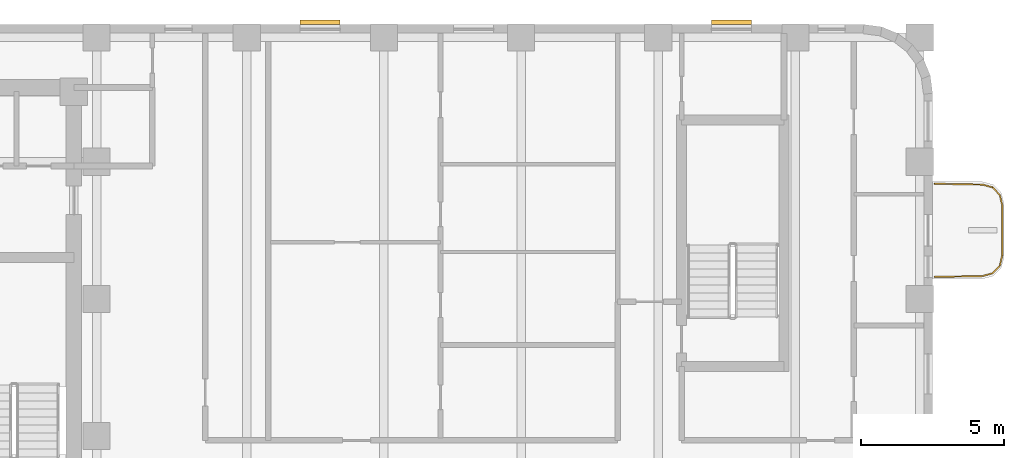
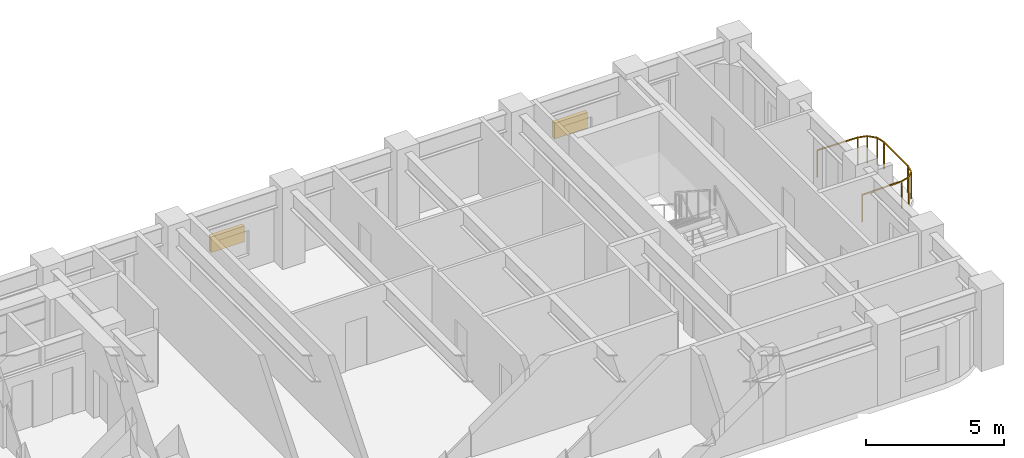
# One storey, part 10 of 10: 2 shading devices, 1 railing.
"""IFC4 building model written with IfcOpenShell, lengths in metres."""

from ifc_helpers import new_model, si_unit, direction, frame, origin, origin_2d, place, context, subcontext, project, spatial, rectangle, extrude, material, type_object, element, save


model = new_model("IFC4")

# Units and contexts
model_context = context("Model", 3, precision=1e-05, world=origin(), true_north=direction((0.0, 1.0)))
body_context = subcontext(model_context, "Body", "Model", "MODEL_VIEW")
ifc_project = project(units=[si_unit("LENGTHUNIT", "METRE"), si_unit("AREAUNIT", "SQUARE_METRE"), si_unit("VOLUMEUNIT", "CUBIC_METRE"), si_unit("PLANEANGLEUNIT", "RADIAN"), si_unit("MASSUNIT", "GRAM", prefix="KILO")], contexts=[model_context])

# Site, building, storey
site_placement = place(None, origin())
site = spatial("IfcSite", under=ifc_project, at=site_placement, CompositionType="ELEMENT")
building_placement = place(site_placement, origin())
building = spatial("IfcBuilding", under=site, at=building_placement, Name="Orvandelia Arch Residences", CompositionType="ELEMENT")
storey_placement = place(building_placement, frame((0.0, 0.0, 136.0)))
storey = spatial("IfcBuildingStorey", under=building, at=storey_placement, Name="L35", CompositionType="ELEMENT", Elevation=136.0)

# Railing
ifc_material_1 = material(Name="Marine-Grade Stainless Steel 316", Category="steel")
railing_type = type_object("IfcRailingType", Name="GRD-BAL-1200", PredefinedType="BALUSTRADE", material=ifc_material_1)
railing_placement = place(storey_placement, frame((52.871826171875, 39.169677734375, 0.0)))
element("IfcRailing", 1, at=railing_placement, inside=storey, type_object=railing_type, Name="Safety Balustrade Guard GRD-L35-BAL-L35-E1-1", PredefinedType="BALUSTRADE", context=body_context, shape_type="SweptSolid", body=[
    extrude(rectangle(XDim=0.048095703125, YDim=0.048095703125, at=origin_2d()), frame((0.0, 0.0, 1.19580078125), z_axis=(0.999837384468, 0.018033430643, 0.0), x_axis=(-0.018033430643, 0.999837384468, 0.0)), (0.0, 0.0, 1.0), 1.6787109375),
    extrude(rectangle(XDim=0.048095703125, YDim=0.048095703125, at=origin_2d()), frame((1.678466796875, 0.0302734375, 1.19580078125), z_axis=(0.96348920644, 0.267747173792, 0.0), x_axis=(-0.267747173792, 0.96348920644, 0.0)), (0.0, 0.0, 1.0), 0.36572265625),
    extrude(rectangle(XDim=0.048095703125, YDim=0.048095703125, at=origin_2d()), frame((2.03076171875, 0.128173828125, 1.19580078125), z_axis=(0.687947031175, 0.725760898848, 0.0), x_axis=(-0.725760898848, 0.687947031175, 0.0)), (0.0, 0.0, 1.0), 0.367919921875),
    extrude(rectangle(XDim=0.048095703125, YDim=0.048095703125, at=origin_2d()), frame((2.283935546875, 0.395263671875, 1.19580078125), z_axis=(0.221225034864, 0.975222786828, 0.0), x_axis=(-0.975222786828, 0.221225034864, 0.0)), (0.0, 0.0, 1.0), 0.373046875),
    extrude(rectangle(XDim=0.048095703125, YDim=0.048095703125, at=origin_2d()), frame((2.366455078125, 0.759033203125, 1.19580078125), z_axis=(0.0, 1.0, 0.0), x_axis=(-1.0, 0.0, 0.0)), (0.0, 0.0, 1.0), 1.74267578125),
    extrude(rectangle(XDim=0.048095703125, YDim=0.048095703125, at=origin_2d()), frame((2.366455078125, 2.501708984375, 1.19580078125), z_axis=(-0.221225034864, 0.975222786828, 0.0), x_axis=(-0.975222786828, -0.221225034864, 0.0)), (0.0, 0.0, 1.0), 0.373046875),
    extrude(rectangle(XDim=0.048095703125, YDim=0.048095703125, at=origin_2d()), frame((2.283935546875, 2.865478515625, 1.19580078125), z_axis=(-0.688278345278, 0.725446703364, 0.0), x_axis=(-0.725446703364, -0.688278345278, 0.0)), (0.0, 0.0, 1.0), 0.367919921875),
    extrude(rectangle(XDim=0.048095703125, YDim=0.048095703125, at=origin_2d()), frame((2.03076171875, 3.13232421875, 1.19580078125), z_axis=(-0.96348920644, 0.267747173792, 0.0), x_axis=(-0.267747173792, -0.96348920644, 0.0)), (0.0, 0.0, 1.0), 0.36572265625),
    extrude(rectangle(XDim=0.048095703125, YDim=0.048095703125, at=origin_2d()), frame((1.678466796875, 3.230224609375, 1.19580078125), z_axis=(-0.999834751713, 0.018178813668, 0.0), x_axis=(-0.018178813668, -0.999834751713, 0.0)), (0.0, 0.0, 1.0), 1.6787109375),
    extrude(rectangle(XDim=0.0419921875, YDim=0.0419921875, at=origin_2d()), origin(), (0.0, 0.0, 1.0), 1.171875),
    extrude(rectangle(XDim=0.0419921875, YDim=0.0419921875, at=origin_2d()), frame((1.678466796875, 0.0302734375, 0.0)), (0.0, 0.0, 1.0), 1.171875),
    extrude(rectangle(XDim=0.0419921875, YDim=0.0419921875, at=origin_2d()), frame((2.03076171875, 0.128173828125, 0.0)), (0.0, 0.0, 1.0), 1.171875),
    extrude(rectangle(XDim=0.0419921875, YDim=0.0419921875, at=origin_2d()), frame((2.283935546875, 0.395263671875, 0.0)), (0.0, 0.0, 1.0), 1.171875),
    extrude(rectangle(XDim=0.0419921875, YDim=0.0419921875, at=origin_2d()), frame((2.366455078125, 0.759033203125, 0.0)), (0.0, 0.0, 1.0), 1.171875),
    extrude(rectangle(XDim=0.0419921875, YDim=0.0419921875, at=origin_2d()), frame((2.366455078125, 2.501708984375, 0.0)), (0.0, 0.0, 1.0), 1.171875),
    extrude(rectangle(XDim=0.0419921875, YDim=0.0419921875, at=origin_2d()), frame((2.283935546875, 2.865478515625, 0.0)), (0.0, 0.0, 1.0), 1.171875),
    extrude(rectangle(XDim=0.0419921875, YDim=0.0419921875, at=origin_2d()), frame((2.03076171875, 3.13232421875, 0.0)), (0.0, 0.0, 1.0), 1.171875),
    extrude(rectangle(XDim=0.0419921875, YDim=0.0419921875, at=origin_2d()), frame((1.678466796875, 3.230224609375, 0.0)), (0.0, 0.0, 1.0), 1.171875),
    extrude(rectangle(XDim=0.0419921875, YDim=0.0419921875, at=origin_2d()), frame((0.0, 3.2607421875, 0.0)), (0.0, 0.0, 1.0), 1.171875),
])

# Shading devices
ifc_material_2 = material(Name="Anodised Champagne-Bronze Extruded Aluminium", Category="aluminium")
shading_device_type = type_object("IfcShadingDeviceType", Name="SHD-JALOUSIE-SCREEN", PredefinedType="JALOUSIE", material=ifc_material_2)
for number, where, z_axis, x_axis, name in (
    (2, (45.762451171875, 48.080078125, 1.0498046875), (0.0, 0.0, 1.0), (1.0, 0.0, 0.0), "Bronze Jalousie Sun-Shade L35-001"),
    (3, (31.367431640625, 48.080078125, 1.0498046875), (0.0, 0.0, 1.0), (1.0, 0.0, 0.0), "Bronze Jalousie Sun-Shade L35-002"),
):
    element("IfcShadingDevice", number, at=place(storey_placement, frame(where, z_axis=z_axis, x_axis=x_axis)), inside=storey, type_object=shading_device_type, Name=name, PredefinedType="JALOUSIE", context=body_context, shape_type="SweptSolid", body=[
        extrude(rectangle(XDim=1.39990234375, YDim=0.159912109375, at=origin_2d()), origin(), (0.0, 0.0, 1.0), 0.699951171875),
    ])

save(model, "model.ifc")
